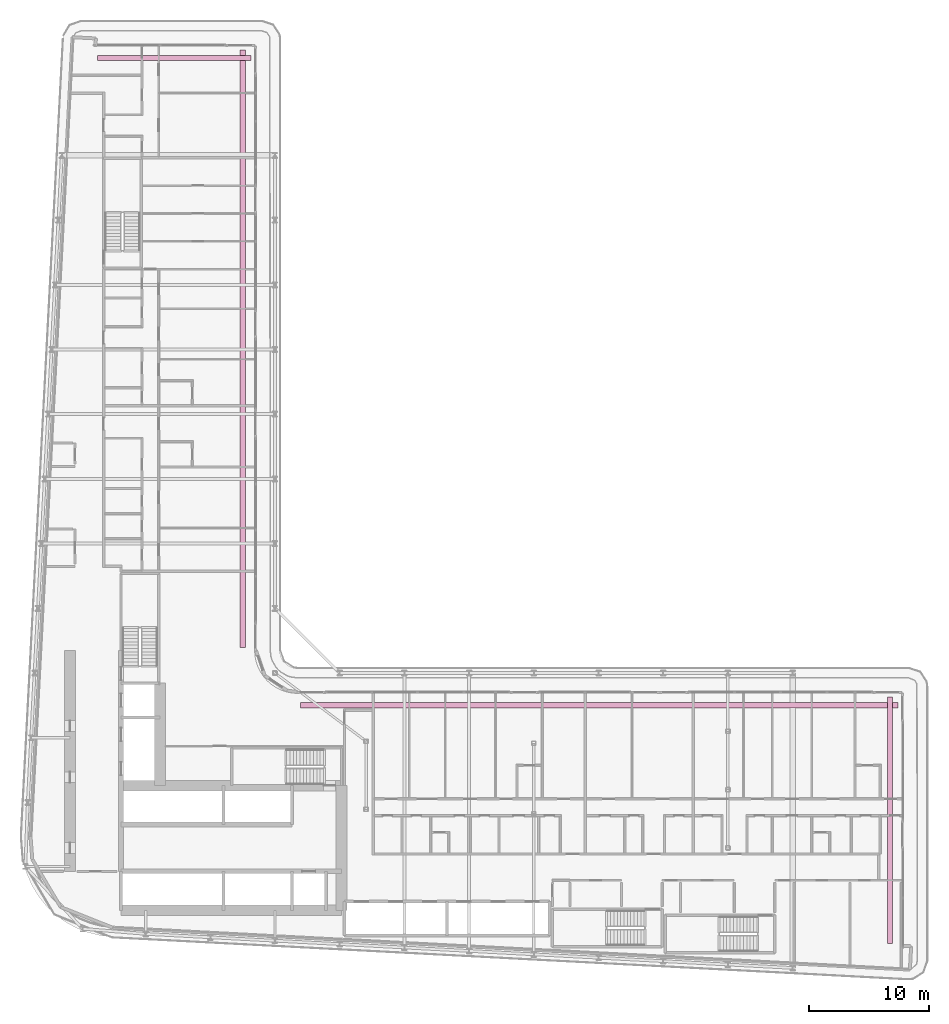
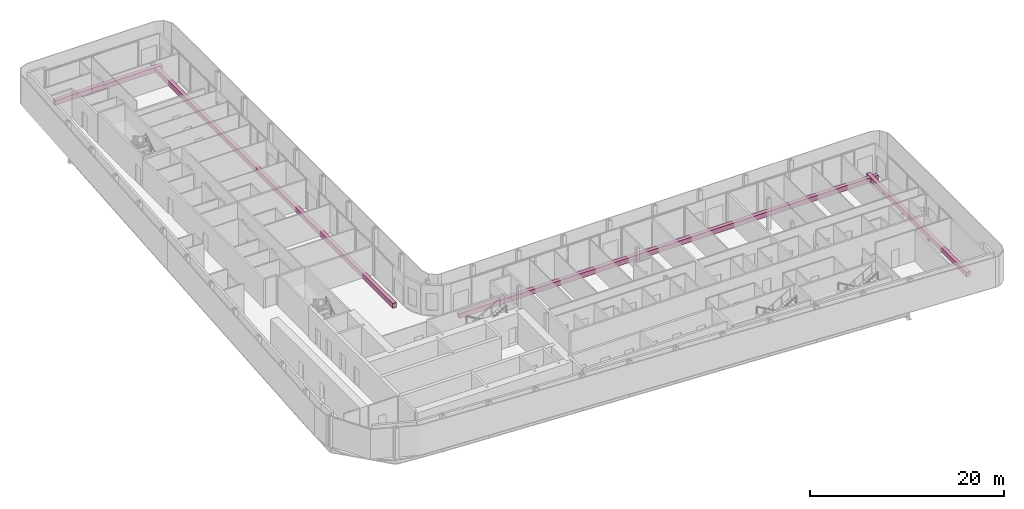
# One storey, part 28 of 28: 4 furniture elements.
"""IFC4 building model written with IfcOpenShell, lengths in metres."""

from ifc_helpers import new_model, si_unit, direction, frame, origin, origin_2d, place, context, subcontext, project, spatial, rectangle, extrude, material, type_object, element, save


model = new_model("IFC4")

# Units and contexts
model_context = context("Model", 3, precision=1e-05, world=origin(), true_north=direction((0.0, 1.0)))
body_context = subcontext(model_context, "Body", "Model", "MODEL_VIEW")
ifc_project = project(units=[si_unit("LENGTHUNIT", "METRE"), si_unit("AREAUNIT", "SQUARE_METRE"), si_unit("VOLUMEUNIT", "CUBIC_METRE"), si_unit("PLANEANGLEUNIT", "RADIAN"), si_unit("MASSUNIT", "GRAM", prefix="KILO")], contexts=[model_context])

# Site, building, storey
site_placement = place(None, origin())
site = spatial("IfcSite", under=ifc_project, at=site_placement, CompositionType="ELEMENT")
building_placement = place(site_placement, origin())
building = spatial("IfcBuilding", under=site, at=building_placement, Name="Kheshtan School and Residences Tower", CompositionType="ELEMENT")
storey_placement = place(building_placement, frame((0.0, 0.0, 137.0)))
storey = spatial("IfcBuildingStorey", under=building, at=storey_placement, Name="L32", CompositionType="ELEMENT", Elevation=137.0)

# Furniture
ifc_material = material(Name="Precast concrete C30/37 in terracotta finish", Category="masonry")
furniture_type = type_object("IfcFurnitureType", Name="Planter trough", AssemblyPlace="NOTDEFINED", PredefinedType="USERDEFINED", material=ifc_material)
furniture_1_placement = place(storey_placement, frame((39.196044921875, 96.925048828125, 0.0), z_axis=(0.0, 0.0, 1.0), x_axis=(1.0, 0.0, 0.0)))
element("IfcFurniture", 1, at=furniture_1_placement, inside=storey, type_object=furniture_type, Name="Planter L32", ObjectType="PLANTER", PredefinedType="USERDEFINED", context=body_context, shape_type="SweptSolid", body=[
    extrude(rectangle(XDim=12.80810546875, YDim=0.449951171875, at=origin_2d()), origin(), (0.0, 0.0, 1.0), 0.60009765625),
])
for number, where, z_axis, x_axis, name in (
    (2, (44.925048828125, 72.6650390625, 0.0), (0.0, 0.0, 1.0), (0.0, -1.0, 0.0), "Planter L32"),
    (3, (74.6650390625, 42.925048828125, 0.0), (0.0, 0.0, 1.0), (1.0, 0.0, 0.0), "Planter L32"),
):
    element("IfcFurniture", number, at=place(storey_placement, frame(where, z_axis=z_axis, x_axis=x_axis)), inside=storey, type_object=furniture_type, Name=name, ObjectType="PLANTER", PredefinedType="USERDEFINED", context=body_context, shape_type="SweptSolid", body=[
        extrude(rectangle(XDim=49.8701171875, YDim=0.449951171875, at=origin_2d()), origin(), (0.0, 0.0, 1.0), 0.60009765625),
    ])
furniture_2_placement = place(storey_placement, frame((98.925048828125, 33.306884765625, 0.0), z_axis=(0.0, 0.0, 1.0), x_axis=(0.0, -1.0, 0.0)))
element("IfcFurniture", 4, at=furniture_2_placement, inside=storey, type_object=furniture_type, Name="Planter L32", ObjectType="PLANTER", PredefinedType="USERDEFINED", context=body_context, shape_type="SweptSolid", body=[
    extrude(rectangle(XDim=20.5859375, YDim=0.449951171875, at=origin_2d()), origin(), (0.0, 0.0, 1.0), 0.60009765625),
])

save(model, "model.ifc")
